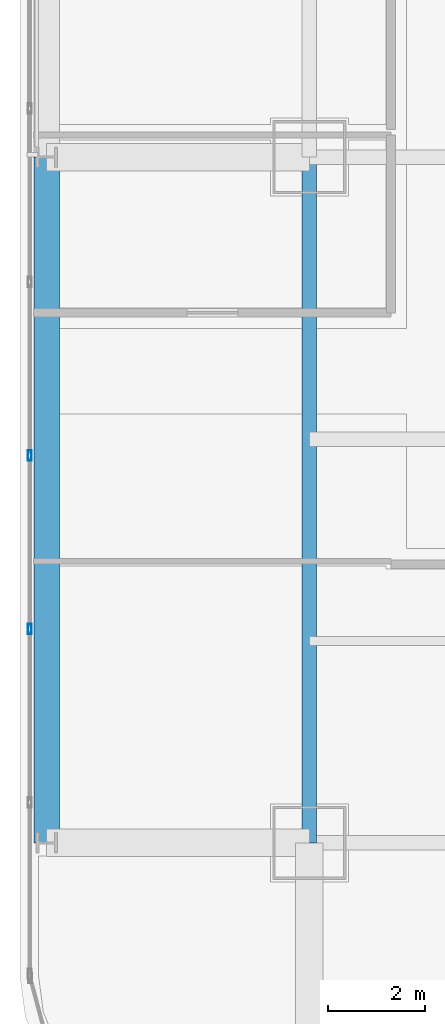
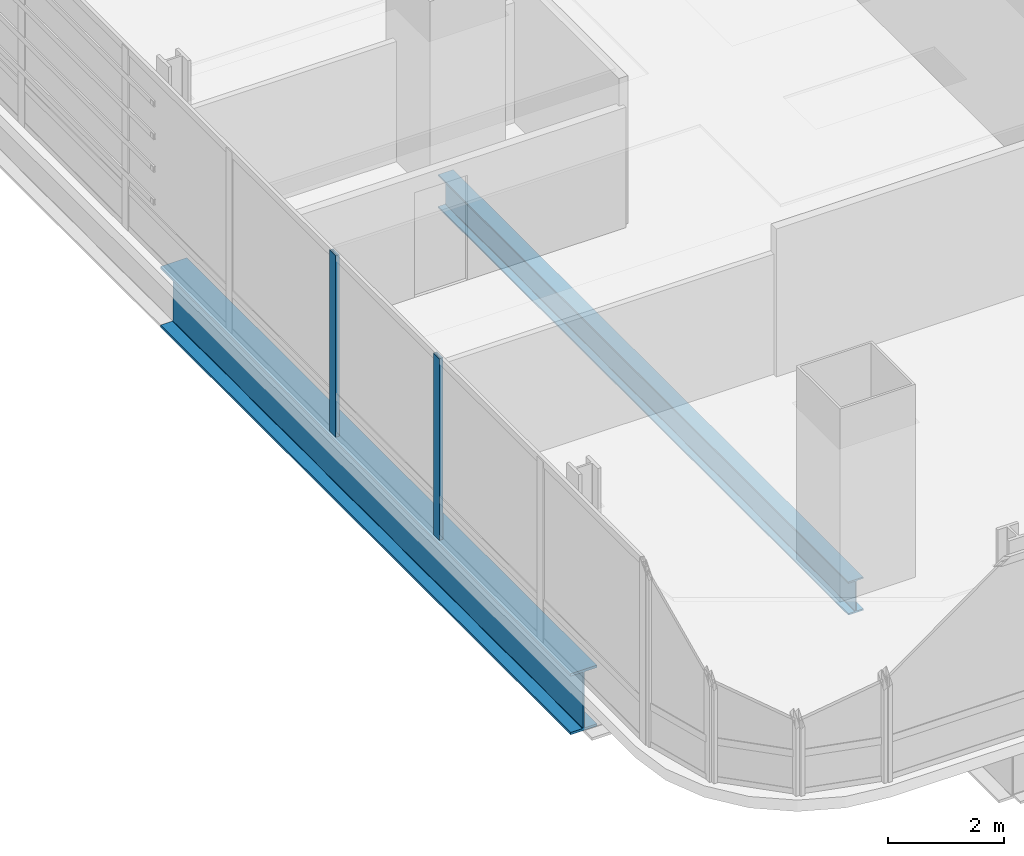
# One storey, part 4 of 36: 2 beams, 2 members, 1 element without a shape of its own.
"""IFC4 building model written with IfcOpenShell, lengths in metres."""

from ifc_helpers import new_model, si_unit, direction, frame, origin, origin_2d, place, context, subcontext, project, spatial, hollow_rectangle, i_section, extrude, material, material_profile, profile_set, type_object, element, aggregate, save


model = new_model("IFC4")

# Units and contexts
model_context = context("Model", 3, precision=1e-05, world=origin(), true_north=direction((0.0, 1.0)))
body_context = subcontext(model_context, "Body", "Model", "MODEL_VIEW")
ifc_project = project(units=[si_unit("LENGTHUNIT", "METRE"), si_unit("AREAUNIT", "SQUARE_METRE"), si_unit("VOLUMEUNIT", "CUBIC_METRE"), si_unit("PLANEANGLEUNIT", "RADIAN"), si_unit("MASSUNIT", "GRAM", prefix="KILO")], contexts=[model_context])

# Site, building, storey
site_placement = place(None, origin())
site = spatial("IfcSite", under=ifc_project, at=site_placement, CompositionType="ELEMENT")
building_placement = place(site_placement, origin())
building = spatial("IfcBuilding", under=site, at=building_placement, Name="Punatoya Terracotta Tower", CompositionType="ELEMENT")
storey_placement = place(building_placement, frame((0.0, 0.0, 40.35009765625)))
storey = spatial("IfcBuildingStorey", under=building, at=storey_placement, Name="L08", CompositionType="ELEMENT", Elevation=40.35009765625)

# Beams
ifc_material_1 = material(Name="Steel S355", Category="steel")
ifc_material_profile_1 = material_profile(ifc_material_1, i_section(OverallWidth=0.300048828125, OverallDepth=0.699951171875, WebThickness=0.01708984375, FlangeThickness=0.031982421875, FilletRadius=0.01806640625, at=origin_2d()))
ifc_profile_set_1 = profile_set([ifc_material_profile_1], Name="Steel S355")
beam_type_1 = type_object("IfcBeamType", Name="BM-PRI-700", PredefinedType="BEAM", material=ifc_profile_set_1)
beam_1_placement = place(storey_placement, frame((-19.10009765625, -17.5, -0.590087890625), z_axis=(0.0, 1.0, 0.0), x_axis=(-1.0, 0.0, 0.0)))
element("IfcBeam", 1, at=beam_1_placement, inside=storey, type_object=beam_type_1, Name="BM-L08-RG-W1", PredefinedType="BEAM", context=body_context, shape_type="SweptSolid", body=[
    extrude(i_section(OverallWidth=0.300048828125, OverallDepth=0.699951171875, WebThickness=0.01708984375, FlangeThickness=0.031982421875, FilletRadius=0.01806640625, at=origin_2d()), origin(), (0.0, 0.0, 1.0), 14.10009765625),
])
ifc_material_2 = material(Name="Steel S460", Category="steel")
ifc_material_profile_2 = material_profile(ifc_material_2, i_section(OverallWidth=0.52001953125, OverallDepth=1.280029296875, WebThickness=0.031982421875, FlangeThickness=0.050048828125, FilletRadius=0.01806640625, at=origin_2d()))
ifc_profile_set_2 = profile_set([ifc_material_profile_2], Name="Steel S460")
beam_type_2 = type_object("IfcBeamType", Name="BM-TG-NCK", PredefinedType="BEAM", material=ifc_profile_set_2)
beam_2_placement = place(storey_placement, frame((-24.5, -17.5, -0.880126953125), z_axis=(0.0, 1.0, 0.0), x_axis=(-1.0, 0.0, 0.0)))
element("IfcBeam", 2, at=beam_2_placement, inside=storey, type_object=beam_type_2, Name="BM-L08-PER-W1", PredefinedType="BEAM", context=body_context, shape_type="SweptSolid", body=[
    extrude(i_section(OverallWidth=0.52001953125, OverallDepth=1.280029296875, WebThickness=0.031982421875, FlangeThickness=0.050048828125, FilletRadius=0.01806640625, at=origin_2d()), origin(), (0.0, 0.0, 1.0), 14.10009765625),
])

# Curtain wall, members
ifc_material_3 = material(Name="Aluminium 6063-T6 + Double Low-E Glass", Category="aluminium")
curtain_wall_type = type_object("IfcCurtainWallType", Name="CW-M1", PredefinedType="NOTDEFINED", material=ifc_material_3)
curtain_wall_placement = place(storey_placement, origin())
curtain_wall = element("IfcCurtainWall", 3, at=curtain_wall_placement, inside=storey, type_object=curtain_wall_type, Name="L08 Curtain Wall CW-L08-W13-1", PredefinedType="NOTDEFINED")
ifc_material_4 = material(Name="Aluminium 6063-T6", Category="aluminium")
ifc_material_profile_3 = material_profile(ifc_material_4, hollow_rectangle(XDim=0.074951171875, YDim=0.2099609375, WallThickness=0.00439453125, at=origin_2d()))
ifc_profile_set_3 = profile_set([ifc_material_profile_3], Name="Aluminium 6063-T6")
member_type = type_object("IfcMemberType", Name="CW-MUL-M1", PredefinedType="MULLION", material=ifc_profile_set_3)
member_1_placement = place(storey_placement, frame((-24.85009765625, -9.534912109375, 0.0), z_axis=(0.0, 0.0, 1.0), x_axis=(1.0, 0.0, 0.0)))
member_1 = element("IfcMember", 4, at=member_1_placement, type_object=member_type, Name="CW-L08-W13-1 Mullion 07", PredefinedType="MULLION", context=body_context, shape_type="SweptSolid", body=[
    extrude(hollow_rectangle(XDim=0.074951171875, YDim=0.2099609375, WallThickness=0.00439453125, at=origin_2d()), origin(), (0.0, 0.0, 1.0), 3.809814453125),
])
member_2_placement = place(storey_placement, frame((-24.85009765625, -13.10205078125, 0.0), z_axis=(0.0, 0.0, 1.0), x_axis=(1.0, 0.0, 0.0)))
member_2 = element("IfcMember", 5, at=member_2_placement, type_object=member_type, Name="CW-L08-W13-1 Mullion 08", PredefinedType="MULLION", context=body_context, shape_type="SweptSolid", body=[
    extrude(hollow_rectangle(XDim=0.074951171875, YDim=0.2099609375, WallThickness=0.00439453125, at=origin_2d()), origin(), (0.0, 0.0, 1.0), 3.809814453125),
])
aggregate(curtain_wall, [member_1, member_2])

save(model, "model.ifc")
